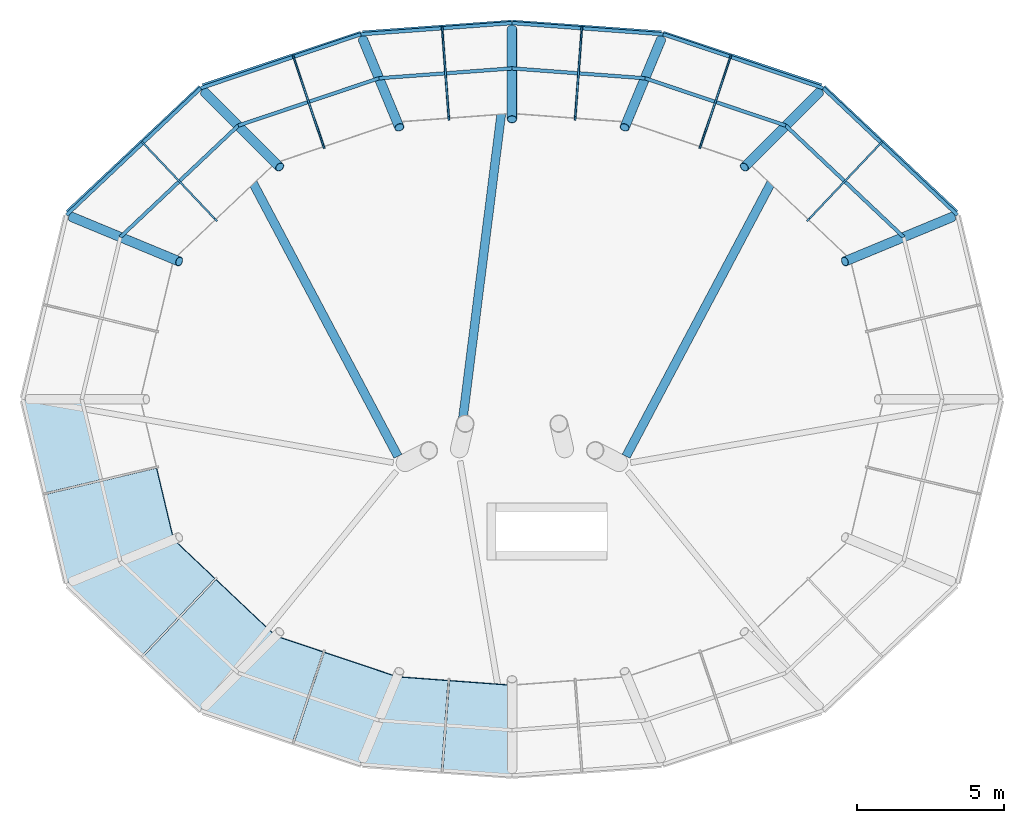
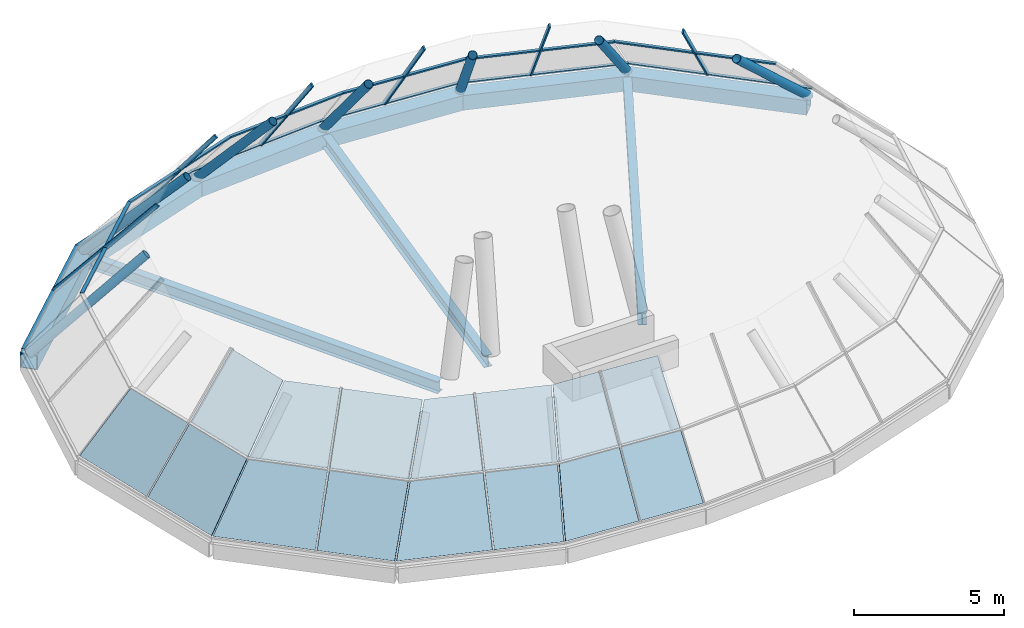
# One storey, part 2 of 4: 25 members, 15 plates, 9 beams, 10 elements without a shape of their own.
"""IFC4 building model written with IfcOpenShell, lengths in metres."""

from ifc_helpers import new_model, si_unit, direction, frame, origin, origin_2d, place, context, subcontext, project, spatial, polyline, rectangle, hollow_rectangle, hollow_circle, i_section, outline, extrude, material, layer, layer_set, material_profile, profile_set, type_object, element, aggregate, save


model = new_model("IFC4")

# Units and contexts
model_context = context("Model", 3, precision=1e-05, world=origin(), true_north=direction((0.0, 1.0)))
body_context = subcontext(model_context, "Body", "Model", "MODEL_VIEW")
ifc_project = project(units=[si_unit("LENGTHUNIT", "METRE"), si_unit("AREAUNIT", "SQUARE_METRE"), si_unit("VOLUMEUNIT", "CUBIC_METRE"), si_unit("PLANEANGLEUNIT", "RADIAN"), si_unit("MASSUNIT", "GRAM", prefix="KILO")], contexts=[model_context])

# Site, building, storey
site_placement = place(None, origin())
site = spatial("IfcSite", under=ifc_project, at=site_placement, CompositionType="ELEMENT")
building_placement = place(site_placement, origin())
building = spatial("IfcBuilding", under=site, at=building_placement, Name="Rubra Terraces Tower", CompositionType="ELEMENT")
storey_placement = place(building_placement, frame((0.0, 0.0, 324.60009765625)))
storey = spatial("IfcBuildingStorey", under=building, at=storey_placement, Name="L80", CompositionType="ELEMENT", Elevation=324.60009765625)

# Members
ifc_material_1 = material(Name="Steel Q355B", Category="steel")
ifc_material_profile_1 = material_profile(ifc_material_1, hollow_circle(Radius=0.16259765625, WallThickness=0.013916015625, at=origin_2d()), Name="CHS 325x14")
ifc_profile_set_1 = profile_set([ifc_material_profile_1], Name="Steel Q355B")
member_type_1 = type_object("IfcMemberType", Name="CROWN POST CHS 325x14", PredefinedType="POST", material=ifc_profile_set_1)
member_1_placement = place(storey_placement, frame((14.985107421875, 6.207275390625, -0.2001953125), z_axis=(-0.674397942908, -0.279292929011, 0.683507772015), x_axis=(0.382622806555, -0.923904642214, 0.0)))
element("IfcMember", 1, at=member_1_placement, inside=storey, type_object=member_type_1, Name="CROWN POST", PredefinedType="POST", context=body_context, shape_type="SweptSolid", body=[
    extrude(hollow_circle(Radius=0.16259765625, WallThickness=0.013916015625, at=origin_2d()), origin(), (0.0, 0.0, 1.0), 5.41357421875),
])
member_2_placement = place(storey_placement, frame((10.4619140625, 10.4619140625, -0.2001953125), z_axis=(-0.493728488521, -0.493728488521, 0.715866160148), x_axis=(0.707106781187, -0.707106781187, 0.0)))
element("IfcMember", 2, at=member_2_placement, inside=storey, type_object=member_type_1, Name="CROWN POST", PredefinedType="POST", context=body_context, shape_type="SweptSolid", body=[
    extrude(hollow_circle(Radius=0.16259765625, WallThickness=0.013916015625, at=origin_2d()), origin(), (0.0, 0.0, 1.0), 5.1689453125),
])
member_3_placement = place(storey_placement, frame((5.075439453125, 12.252197265625, -0.2001953125), z_axis=(-0.252126105765, -0.608597372845, 0.7523574048), x_axis=(0.923859770062, -0.382731139653, 0.0)))
element("IfcMember", 3, at=member_3_placement, inside=storey, type_object=member_type_1, Name="CROWN POST", PredefinedType="POST", context=body_context, shape_type="SweptSolid", body=[
    extrude(hollow_circle(Radius=0.16259765625, WallThickness=0.013916015625, at=origin_2d()), origin(), (0.0, 0.0, 1.0), 4.918212890625),
])
member_4_placement = place(storey_placement, frame((0.0, 12.618408203125, -0.2001953125), z_axis=(0.0, -0.640244221829, 0.768171423847), x_axis=(1.0, 0.0, 0.0)))
element("IfcMember", 4, at=member_4_placement, inside=storey, type_object=member_type_1, Name="CROWN POST", PredefinedType="POST", context=body_context, shape_type="SweptSolid", body=[
    extrude(hollow_circle(Radius=0.16259765625, WallThickness=0.013916015625, at=origin_2d()), origin(), (0.0, 0.0, 1.0), 4.81689453125),
])
member_5_placement = place(storey_placement, frame((-5.075439453125, 12.252197265625, -0.2001953125), z_axis=(0.252126105765, -0.608597372845, 0.7523574048), x_axis=(0.923859770062, 0.382731139653, 0.0)))
element("IfcMember", 5, at=member_5_placement, inside=storey, type_object=member_type_1, Name="CROWN POST", PredefinedType="POST", context=body_context, shape_type="SweptSolid", body=[
    extrude(hollow_circle(Radius=0.16259765625, WallThickness=0.013916015625, at=origin_2d()), origin(), (0.0, 0.0, 1.0), 4.918212890625),
])
member_6_placement = place(storey_placement, frame((-10.4619140625, 10.4619140625, -0.2001953125), z_axis=(0.493728488521, -0.493728488521, 0.715866160148), x_axis=(0.707106781187, 0.707106781187, 0.0)))
element("IfcMember", 6, at=member_6_placement, inside=storey, type_object=member_type_1, Name="CROWN POST", PredefinedType="POST", context=body_context, shape_type="SweptSolid", body=[
    extrude(hollow_circle(Radius=0.16259765625, WallThickness=0.013916015625, at=origin_2d()), origin(), (0.0, 0.0, 1.0), 5.1689453125),
])
member_7_placement = place(storey_placement, frame((-14.985107421875, 6.207275390625, -0.2001953125), z_axis=(0.674397942908, -0.279292929011, 0.683507772015), x_axis=(0.382622806555, 0.923904642214, 0.0)))
element("IfcMember", 7, at=member_7_placement, inside=storey, type_object=member_type_1, Name="CROWN POST", PredefinedType="POST", context=body_context, shape_type="SweptSolid", body=[
    extrude(hollow_circle(Radius=0.16259765625, WallThickness=0.013916015625, at=origin_2d()), origin(), (0.0, 0.0, 1.0), 5.41357421875),
])

# Beams
ifc_material_profile_2 = material_profile(ifc_material_1, hollow_rectangle(XDim=0.60009765625, YDim=0.60009765625, WallThickness=0.030029296875, at=origin_2d()), Name="BOX 600x600x30")
ifc_profile_set_2 = profile_set([ifc_material_profile_2], Name="Steel Q355B")
beam_type_1 = type_object("IfcBeamType", Name="CROWN RING GIRDER BOX 600x600x30", PredefinedType="BEAM", material=ifc_profile_set_2)
beam_1_placement = place(storey_placement, frame((14.985107421875, 6.20703125, -0.5), z_axis=(-0.728380020829, 0.685173368759, 0.0), x_axis=(-0.685173368759, -0.728380020829, 0.0)))
element("IfcBeam", 8, at=beam_1_placement, inside=storey, type_object=beam_type_1, Name="CROWN RING GIRDER", PredefinedType="BEAM", context=body_context, shape_type="SweptSolid", body=[
    extrude(hollow_rectangle(XDim=0.60009765625, YDim=0.60009765625, WallThickness=0.030029296875, at=origin_2d()), origin(), (0.0, 0.0, 1.0), 6.2099609375),
])
beam_2_placement = place(storey_placement, frame((10.4619140625, 10.4619140625, -0.5), z_axis=(-0.948979638059, 0.315337353558, 0.0), x_axis=(-0.315337353558, -0.948979638059, 0.0)))
element("IfcBeam", 9, at=beam_2_placement, inside=storey, type_object=beam_type_1, Name="CROWN RING GIRDER", PredefinedType="BEAM", context=body_context, shape_type="SweptSolid", body=[
    extrude(hollow_rectangle(XDim=0.60009765625, YDim=0.60009765625, WallThickness=0.030029296875, at=origin_2d()), origin(), (0.0, 0.0, 1.0), 5.676513671875),
])
for number, where, z_axis, x_axis, name in (
    (10, (5.074951171875, 12.251953125, -0.5), (-0.99740999949, 0.071925606833, 0.0), (-0.071925606833, -0.99740999949, 0.0), "CROWN RING GIRDER"),
    (11, (0.0, 12.617919921875, -0.5), (-0.99740999949, -0.071925606833, 0.0), (0.071925606833, -0.99740999949, 0.0), "CROWN RING GIRDER"),
):
    element("IfcBeam", number, at=place(storey_placement, frame(where, z_axis=z_axis, x_axis=x_axis)), inside=storey, type_object=beam_type_1, Name=name, PredefinedType="BEAM", context=body_context, shape_type="SweptSolid", body=[
        extrude(hollow_rectangle(XDim=0.60009765625, YDim=0.60009765625, WallThickness=0.030029296875, at=origin_2d()), origin(), (0.0, 0.0, 1.0), 5.088134765625),
    ])
beam_3_placement = place(storey_placement, frame((-5.074951171875, 12.251953125, -0.5), z_axis=(-0.948979638059, -0.315337353558, 0.0), x_axis=(0.315337353558, -0.948979638059, 0.0)))
element("IfcBeam", 12, at=beam_3_placement, inside=storey, type_object=beam_type_1, Name="CROWN RING GIRDER", PredefinedType="BEAM", context=body_context, shape_type="SweptSolid", body=[
    extrude(hollow_rectangle(XDim=0.60009765625, YDim=0.60009765625, WallThickness=0.030029296875, at=origin_2d()), origin(), (0.0, 0.0, 1.0), 5.676513671875),
])
beam_4_placement = place(storey_placement, frame((-10.4619140625, 10.4619140625, -0.5), z_axis=(-0.728380020829, -0.685173368759, 0.0), x_axis=(0.685173368759, -0.728380020829, 0.0)))
element("IfcBeam", 13, at=beam_4_placement, inside=storey, type_object=beam_type_1, Name="CROWN RING GIRDER", PredefinedType="BEAM", context=body_context, shape_type="SweptSolid", body=[
    extrude(hollow_rectangle(XDim=0.60009765625, YDim=0.60009765625, WallThickness=0.030029296875, at=origin_2d()), origin(), (0.0, 0.0, 1.0), 6.2099609375),
])

# Curtain wall, member
ifc_material_2 = material(Name="Aluminium and glass", Category="aluminium")
curtain_wall_type = type_object("IfcCurtainWallType", Name="Curtain wall Crown glazing", PredefinedType="NOTDEFINED", material=ifc_material_2)
curtain_wall_1_placement = place(storey_placement, origin())
curtain_wall_1 = element("IfcCurtainWall", 14, at=curtain_wall_1_placement, inside=storey, type_object=curtain_wall_type, Name="Crown glazing L80 facet 2", PredefinedType="NOTDEFINED")
ifc_material_3 = material(Name="Aluminium, anodised dark grey", Category="aluminium")
ifc_material_profile_3 = material_profile(ifc_material_3, rectangle(XDim=0.06005859375, YDim=0.159912109375, at=origin_2d()), Name="AL 60x160")
ifc_profile_set_3 = profile_set([ifc_material_profile_3], Name="Aluminium, anodised dark grey")
member_type_2 = type_object("IfcMemberType", Name="Crown glazing mullion 60 x 160", PredefinedType="MULLION", material=ifc_profile_set_3)
member_8_placement = place(storey_placement, frame((12.569091796875, 8.73388671875, 0.0), z_axis=(-0.447713431998, -0.473377690584, 0.758594914869), x_axis=(0.726526856678, -0.687138069478, 0.0)))
member_8 = element("IfcMember", 15, at=member_8_placement, type_object=member_type_2, Name="Crown glazing L80 facet 2 mullion 1", PredefinedType="MULLION", context=body_context, shape_type="SweptSolid", body=[
    extrude(rectangle(XDim=0.06005859375, YDim=0.159912109375, at=origin_2d()), origin(), (0.0, 0.0, 1.0), 5.536376953125),
])

curtain_wall_2_placement = place(storey_placement, origin())
curtain_wall_2 = element("IfcCurtainWall", 16, at=curtain_wall_2_placement, inside=storey, type_object=curtain_wall_type, Name="Crown glazing L80 facet 3", PredefinedType="NOTDEFINED")
member_9_placement = place(storey_placement, frame((7.4404296875, 11.65966796875, 0.0), z_axis=(-0.194355754949, -0.578092052347, 0.79248685764), x_axis=(0.947864384433, -0.318673985013, 0.0)))
member_9 = element("IfcMember", 17, at=member_9_placement, type_object=member_type_2, Name="Crown glazing L80 facet 3 mullion 1", PredefinedType="MULLION", context=body_context, shape_type="SweptSolid", body=[
    extrude(rectangle(XDim=0.06005859375, YDim=0.159912109375, at=origin_2d()), origin(), (0.0, 0.0, 1.0), 5.2998046875),
])

curtain_wall_3_placement = place(storey_placement, origin())
curtain_wall_3 = element("IfcCurtainWall", 18, at=curtain_wall_3_placement, inside=storey, type_object=curtain_wall_type, Name="Crown glazing L80 facet 4", PredefinedType="NOTDEFINED")
member_10_placement = place(storey_placement, frame((2.3779296875, 12.635009765625, 0.0), z_axis=(-0.043614060364, -0.589258783311, 0.806766323064), x_axis=(0.997272083932, -0.07381321433, 0.0)))
member_10 = element("IfcMember", 19, at=member_10_placement, type_object=member_type_2, Name="Crown glazing L80 facet 4 mullion 1", PredefinedType="MULLION", context=body_context, shape_type="SweptSolid", body=[
    extrude(rectangle(XDim=0.06005859375, YDim=0.159912109375, at=origin_2d()), origin(), (0.0, 0.0, 1.0), 5.205810546875),
])

curtain_wall_4_placement = place(storey_placement, origin())
curtain_wall_4 = element("IfcCurtainWall", 20, at=curtain_wall_4_placement, inside=storey, type_object=curtain_wall_type, Name="Crown glazing L80 facet 5", PredefinedType="NOTDEFINED")
member_11_placement = place(storey_placement, frame((-2.3779296875, 12.635009765625, 0.0), z_axis=(0.043614060364, -0.589258783311, 0.806766323064), x_axis=(0.997272083932, 0.07381321433, 0.0)))
member_11 = element("IfcMember", 21, at=member_11_placement, type_object=member_type_2, Name="Crown glazing L80 facet 5 mullion 1", PredefinedType="MULLION", context=body_context, shape_type="SweptSolid", body=[
    extrude(rectangle(XDim=0.06005859375, YDim=0.159912109375, at=origin_2d()), origin(), (0.0, 0.0, 1.0), 5.205810546875),
])

curtain_wall_5_placement = place(storey_placement, origin())
curtain_wall_5 = element("IfcCurtainWall", 22, at=curtain_wall_5_placement, inside=storey, type_object=curtain_wall_type, Name="Crown glazing L80 facet 6", PredefinedType="NOTDEFINED")
member_12_placement = place(storey_placement, frame((-7.4404296875, 11.65966796875, 0.0), z_axis=(0.194355754949, -0.578092052347, 0.79248685764), x_axis=(0.947864384433, 0.318673985013, 0.0)))
member_12 = element("IfcMember", 23, at=member_12_placement, type_object=member_type_2, Name="Crown glazing L80 facet 6 mullion 1", PredefinedType="MULLION", context=body_context, shape_type="SweptSolid", body=[
    extrude(rectangle(XDim=0.06005859375, YDim=0.159912109375, at=origin_2d()), origin(), (0.0, 0.0, 1.0), 5.2998046875),
])

curtain_wall_6_placement = place(storey_placement, origin())
curtain_wall_6 = element("IfcCurtainWall", 24, at=curtain_wall_6_placement, inside=storey, type_object=curtain_wall_type, Name="Crown glazing L80 facet 7", PredefinedType="NOTDEFINED")
member_13_placement = place(storey_placement, frame((-12.569091796875, 8.73388671875, 0.0), z_axis=(0.447713431998, -0.473377690584, 0.758594914869), x_axis=(0.726526856678, 0.687138069478, 0.0)))
member_13 = element("IfcMember", 25, at=member_13_placement, type_object=member_type_2, Name="Crown glazing L80 facet 7 mullion 1", PredefinedType="MULLION", context=body_context, shape_type="SweptSolid", body=[
    extrude(rectangle(XDim=0.06005859375, YDim=0.159912109375, at=origin_2d()), origin(), (0.0, 0.0, 1.0), 5.536376953125),
])

# Member
ifc_material_profile_4 = material_profile(ifc_material_3, rectangle(XDim=0.1201171875, YDim=0.06005859375, at=origin_2d()), Name="AL 120x60")
ifc_profile_set_4 = profile_set([ifc_material_profile_4], Name="Aluminium, anodised dark grey")
member_type_3 = type_object("IfcMemberType", Name="Crown glazing transom 120 x 60", PredefinedType="USERDEFINED", material=ifc_profile_set_4)
member_14_placement = place(storey_placement, frame((15.1630859375, 6.281005859375, 0.0), z_axis=(-0.726589515894, 0.687071812399, 0.0), x_axis=(-0.687071812399, -0.726589515894, 0.0)))
member_14 = element("IfcMember", 26, at=member_14_placement, type_object=member_type_3, Name="Crown glazing L80 facet 2 transom 1", ObjectType="TRANSOM", PredefinedType="USERDEFINED", context=body_context, shape_type="SweptSolid", body=[
    extrude(rectangle(XDim=0.1201171875, YDim=0.06005859375, at=origin_2d()), origin(), (0.0, 0.0, 1.0), 6.282958984375),
])

member_15_placement = place(storey_placement, frame((13.33740234375, 5.52490234375, 2.099853515625), z_axis=(-0.726578083676, 0.687083901952, 0.0), x_axis=(-0.687083901952, -0.726578083676, 0.0)))
member_15 = element("IfcMember", 27, at=member_15_placement, type_object=member_type_3, Name="Crown glazing L80 facet 2 transom 2", ObjectType="TRANSOM", PredefinedType="USERDEFINED", context=body_context, shape_type="SweptSolid", body=[
    extrude(rectangle(XDim=0.1201171875, YDim=0.06005859375, at=origin_2d()), origin(), (0.0, 0.0, 1.0), 5.5263671875),
])

aggregate(curtain_wall_1, [member_8, member_14, member_15])

member_16_placement = place(storey_placement, frame((10.597900390625, 10.597900390625, 0.0), z_axis=(-0.947860464066, 0.31868564552, 0.0), x_axis=(-0.31868564552, -0.947860464066, 0.0)))
member_16 = element("IfcMember", 28, at=member_16_placement, type_object=member_type_3, Name="Crown glazing L80 facet 3 transom 1", ObjectType="TRANSOM", PredefinedType="USERDEFINED", context=body_context, shape_type="SweptSolid", body=[
    extrude(rectangle(XDim=0.1201171875, YDim=0.06005859375, at=origin_2d()), origin(), (0.0, 0.0, 1.0), 5.748779296875),
])

member_17_placement = place(storey_placement, frame((9.322021484375, 9.322021484375, 2.099853515625), z_axis=(-0.947854458081, 0.318703508445, 0.0), x_axis=(-0.318703508445, -0.947854458081, 0.0)))
member_17 = element("IfcMember", 29, at=member_17_placement, type_object=member_type_3, Name="Crown glazing L80 facet 3 transom 2", ObjectType="TRANSOM", PredefinedType="USERDEFINED", context=body_context, shape_type="SweptSolid", body=[
    extrude(rectangle(XDim=0.1201171875, YDim=0.06005859375, at=origin_2d()), origin(), (0.0, 0.0, 1.0), 5.056640625),
])

aggregate(curtain_wall_2, [member_9, member_16, member_17])

member_18_placement = place(storey_placement, frame((5.14892578125, 12.429931640625, 0.0), z_axis=(-0.997272010519, 0.073814206184, 0.0), x_axis=(-0.073814206184, -0.997272010519, 0.0)))
member_18 = element("IfcMember", 30, at=member_18_placement, type_object=member_type_3, Name="Crown glazing L80 facet 4 transom 1", ObjectType="TRANSOM", PredefinedType="USERDEFINED", context=body_context, shape_type="SweptSolid", body=[
    extrude(rectangle(XDim=0.1201171875, YDim=0.06005859375, at=origin_2d()), origin(), (0.0, 0.0, 1.0), 5.1630859375),
])

member_19_placement = place(storey_placement, frame((4.529052734375, 10.93359375, 2.099853515625), z_axis=(-0.997272299664, 0.073810299576, 0.0), x_axis=(-0.073810299576, -0.997272299664, 0.0)))
member_19 = element("IfcMember", 31, at=member_19_placement, type_object=member_type_3, Name="Crown glazing L80 facet 4 transom 2", ObjectType="TRANSOM", PredefinedType="USERDEFINED", context=body_context, shape_type="SweptSolid", body=[
    extrude(rectangle(XDim=0.1201171875, YDim=0.06005859375, at=origin_2d()), origin(), (0.0, 0.0, 1.0), 4.54150390625),
])

aggregate(curtain_wall_3, [member_10, member_18, member_19])

member_20_placement = place(storey_placement, frame((0.0, 12.81103515625, 0.0), z_axis=(-0.997272010519, -0.073814206184, 0.0), x_axis=(0.073814206184, -0.997272010519, 0.0)))
member_20 = element("IfcMember", 32, at=member_20_placement, type_object=member_type_3, Name="Crown glazing L80 facet 5 transom 1", ObjectType="TRANSOM", PredefinedType="USERDEFINED", context=body_context, shape_type="SweptSolid", body=[
    extrude(rectangle(XDim=0.1201171875, YDim=0.06005859375, at=origin_2d()), origin(), (0.0, 0.0, 1.0), 5.1630859375),
])

member_21_placement = place(storey_placement, frame((0.0, 11.268798828125, 2.099853515625), z_axis=(-0.997272299664, -0.073810299576, 0.0), x_axis=(0.073810299576, -0.997272299664, 0.0)))
member_21 = element("IfcMember", 33, at=member_21_placement, type_object=member_type_3, Name="Crown glazing L80 facet 5 transom 2", ObjectType="TRANSOM", PredefinedType="USERDEFINED", context=body_context, shape_type="SweptSolid", body=[
    extrude(rectangle(XDim=0.1201171875, YDim=0.06005859375, at=origin_2d()), origin(), (0.0, 0.0, 1.0), 4.54150390625),
])

aggregate(curtain_wall_4, [member_11, member_20, member_21])

member_22_placement = place(storey_placement, frame((-5.14892578125, 12.429931640625, 0.0), z_axis=(-0.947860464066, -0.31868564552, 0.0), x_axis=(0.31868564552, -0.947860464066, 0.0)))
member_22 = element("IfcMember", 34, at=member_22_placement, type_object=member_type_3, Name="Crown glazing L80 facet 6 transom 1", ObjectType="TRANSOM", PredefinedType="USERDEFINED", context=body_context, shape_type="SweptSolid", body=[
    extrude(rectangle(XDim=0.1201171875, YDim=0.06005859375, at=origin_2d()), origin(), (0.0, 0.0, 1.0), 5.748779296875),
])

member_23_placement = place(storey_placement, frame((-4.529052734375, 10.93359375, 2.099853515625), z_axis=(-0.947854458081, -0.318703508445, 0.0), x_axis=(0.318703508445, -0.947854458081, 0.0)))
member_23 = element("IfcMember", 35, at=member_23_placement, type_object=member_type_3, Name="Crown glazing L80 facet 6 transom 2", ObjectType="TRANSOM", PredefinedType="USERDEFINED", context=body_context, shape_type="SweptSolid", body=[
    extrude(rectangle(XDim=0.1201171875, YDim=0.06005859375, at=origin_2d()), origin(), (0.0, 0.0, 1.0), 5.056640625),
])

aggregate(curtain_wall_5, [member_12, member_22, member_23])

member_24_placement = place(storey_placement, frame((-10.597900390625, 10.597900390625, 0.0), z_axis=(-0.726589515894, -0.687071812399, 0.0), x_axis=(0.687071812399, -0.726589515894, 0.0)))
member_24 = element("IfcMember", 36, at=member_24_placement, type_object=member_type_3, Name="Crown glazing L80 facet 7 transom 1", ObjectType="TRANSOM", PredefinedType="USERDEFINED", context=body_context, shape_type="SweptSolid", body=[
    extrude(rectangle(XDim=0.1201171875, YDim=0.06005859375, at=origin_2d()), origin(), (0.0, 0.0, 1.0), 6.282958984375),
])

member_25_placement = place(storey_placement, frame((-9.322021484375, 9.322021484375, 2.099853515625), z_axis=(-0.726578083676, -0.687083901952, 0.0), x_axis=(0.687083901952, -0.726578083676, 0.0)))
member_25 = element("IfcMember", 37, at=member_25_placement, type_object=member_type_3, Name="Crown glazing L80 facet 7 transom 2", ObjectType="TRANSOM", PredefinedType="USERDEFINED", context=body_context, shape_type="SweptSolid", body=[
    extrude(rectangle(XDim=0.1201171875, YDim=0.06005859375, at=origin_2d()), origin(), (0.0, 0.0, 1.0), 5.5263671875),
])

aggregate(curtain_wall_6, [member_13, member_24, member_25])

# Beams
ifc_material_profile_5 = material_profile(ifc_material_1, i_section(OverallWidth=0.300048828125, OverallDepth=0.48193359375, WebThickness=0.010986328125, FlangeThickness=0.014892578125, at=origin_2d()), Name="HM 482x300x11x15")
ifc_profile_set_5 = profile_set([ifc_material_profile_5], Name="Steel Q355B")
beam_type_2 = type_object("IfcBeamType", Name="FLOOR BEAM HM 482x300x11x15", PredefinedType="BEAM", material=ifc_profile_set_5)
beam_5_placement = place(storey_placement, frame((10.298095703125, 10.153076171875, -0.441162109375), z_axis=(-0.46842437803, -0.883503594824, 0.0), x_axis=(0.883503594824, -0.46842437803, 0.0)))
element("IfcBeam", 38, at=beam_5_placement, inside=storey, type_object=beam_type_2, Name="beam-L80-crown-floor-03", PredefinedType="BEAM", context=body_context, shape_type="SweptSolid", body=[
    extrude(i_section(OverallWidth=0.300048828125, OverallDepth=0.48193359375, WebThickness=0.010986328125, FlangeThickness=0.014892578125, at=origin_2d()), origin(), (0.0, 0.0, 1.0), 13.688720703125),
])
beam_6_placement = place(storey_placement, frame((-0.0439453125, 12.27099609375, -0.441162109375), z_axis=(-0.124994139521, -0.992157479983, 0.0), x_axis=(0.992157479983, -0.124994139521, 0.0)))
element("IfcBeam", 39, at=beam_6_placement, inside=storey, type_object=beam_type_2, Name="beam-L80-crown-floor-05", PredefinedType="BEAM", context=body_context, shape_type="SweptSolid", body=[
    extrude(i_section(OverallWidth=0.300048828125, OverallDepth=0.48193359375, WebThickness=0.010986328125, FlangeThickness=0.014892578125, at=origin_2d()), origin(), (0.0, 0.0, 1.0), 13.873779296875),
])
beam_7_placement = place(storey_placement, frame((-10.298095703125, 10.153076171875, -0.441162109375), z_axis=(0.46842437803, -0.883503594824, 0.0), x_axis=(0.883503594824, 0.46842437803, 0.0)))
element("IfcBeam", 40, at=beam_7_placement, inside=storey, type_object=beam_type_2, Name="beam-L80-crown-floor-07", PredefinedType="BEAM", context=body_context, shape_type="SweptSolid", body=[
    extrude(i_section(OverallWidth=0.300048828125, OverallDepth=0.48193359375, WebThickness=0.010986328125, FlangeThickness=0.014892578125, at=origin_2d()), origin(), (0.0, 0.0, 1.0), 13.688720703125),
])

# Curtain wall, plates
curtain_wall_7_placement = place(storey_placement, origin())
curtain_wall_7 = element("IfcCurtainWall", 41, at=curtain_wall_7_placement, inside=storey, type_object=curtain_wall_type, Name="Crown glazing L80 facet 9", PredefinedType="NOTDEFINED")
ifc_material_4 = material(Name="Clear glass, laminated", Category="glass")
ifc_layer = layer(ifc_material_4, 0.028076171875)
ifc_layer_set = layer_set([ifc_layer], Name="Clear glass, laminated")
plate_type = type_object("IfcPlateType", Name="Crown glazing glass panel 28", PredefinedType="CURTAIN_PANEL", material=ifc_layer_set)
plate_1_placement = place(storey_placement, frame((-16.627197265625, -0.029296875, 0.021484375), z_axis=(-0.71285843792, -0.169347693749, 0.680554337366), x_axis=(0.231120588335, -0.972925112, -9.348755e-06)))
plate_1 = element("IfcPlate", 42, at=plate_1_placement, type_object=plate_type, Name="Crown glazing L80 facet 9 panel 1.1", PredefinedType="CURTAIN_PANEL", context=body_context, shape_type="SweptSolid", body=[
    extrude(outline(polyline([(0.0, 0.0), (3.237802080904114, -5.551115123125783e-17), (3.237898194817458, 2.80698456710087), (0.4537580609084077, 2.806907730954159), (0.0, 0.0)])), origin(), (0.0, 0.0, -1.0), 0.028076171875),
])
plate_2_placement = place(storey_placement, frame((-15.865234375, -3.23779296875, 0.021484375), z_axis=(-0.712814782191, -0.169324731826, 0.680605775381), x_axis=(0.23111703747, -0.972925955543, 4.722581e-06)))
plate_2 = element("IfcPlate", 43, at=plate_2_placement, type_object=plate_type, Name="Crown glazing L80 facet 9 panel 2.1", PredefinedType="CURTAIN_PANEL", context=body_context, shape_type="SweptSolid", body=[
    extrude(outline(polyline([(0.0, 0.0), (3.089759429979913, -1.1102230246251565e-16), (2.7827766055673635, 2.8071083744738665), (0.0001745065171635438, 2.8071462270734004), (0.0, 0.0)])), origin(), (0.0, 0.0, -1.0), 0.028076171875),
])
plate_3_placement = place(storey_placement, frame((-13.96728515625, -2.787109375, 2.12158203125), z_axis=(-0.712806277021, -0.169317920075, 0.680616377544), x_axis=(0.231111487954, -0.972927273801, 5.431725e-06)))
plate_3 = element("IfcPlate", 44, at=plate_3_placement, type_object=plate_type, Name="Crown glazing L80 facet 9 panel 2.2", PredefinedType="CURTAIN_PANEL", context=body_context, shape_type="SweptSolid", body=[
    extrude(outline(polyline([(0.0, 0.0), (2.7760877491224365, 5.551115123125783e-17), (2.468857954617071, 2.807145745420636), (-7.246390789254017e-05, 2.8071846315023343), (0.0, 0.0)])), origin(), (0.0, 0.0, -1.0), 0.028076171875),
])
aggregate(curtain_wall_7, [plate_1, plate_2, plate_3])

curtain_wall_8_placement = place(storey_placement, origin())
curtain_wall_8 = element("IfcCurtainWall", 45, at=curtain_wall_8_placement, inside=storey, type_object=curtain_wall_type, Name="Crown glazing L80 facet 10", PredefinedType="NOTDEFINED")
plate_4_placement = place(storey_placement, frame((-15.122314453125, -6.293701171875, 0.021728515625), z_axis=(-0.521231300107, -0.551218643577, 0.651518179917), x_axis=(0.726594927742, -0.687066089236, 5.84914e-07)))
plate_4 = element("IfcPlate", 46, at=plate_4_placement, type_object=plate_type, Name="Crown glazing L80 facet 10 panel 1.1", PredefinedType="CURTAIN_PANEL", context=body_context, shape_type="SweptSolid", body=[
    extrude(outline(polyline([(0.0, 0.0), (3.5018575796768907, -2.220446049250313e-16), (3.501848388412665, 2.71065769343857), (0.7902706555404615, 2.7106624840606326), (0.0, 0.0)])), origin(), (0.0, 0.0, -1.0), 0.028076171875),
])
plate_5_placement = place(storey_placement, frame((-13.296630859375, -5.53759765625, 2.12158203125), z_axis=(-0.5212496405, -0.55120790489, 0.651512592254), x_axis=(0.726558771583, -0.687104322937, -2.8910872e-05)))
plate_5 = element("IfcPlate", 47, at=plate_5_placement, type_object=plate_type, Name="Crown glazing L80 facet 10 panel 1.2", PredefinedType="CURTAIN_PANEL", context=body_context, shape_type="SweptSolid", body=[
    extrude(outline(polyline([(0.0, 0.0), (2.6949920990184832, 1.1102230246251565e-16), (2.694838945373474, 2.71106776126842), (0.7901170588863585, 2.7108924711093687), (0.0, 0.0)])), origin(), (0.0, 0.0, -1.0), 0.028076171875),
])
plate_6_placement = place(storey_placement, frame((-12.534423828125, -8.740966796875, 0.021728515625), z_axis=(-0.521231340121, -0.551176035659, 0.651554194056), x_axis=(0.726567378819, -0.687095221956, -1.123479e-06)))
plate_6 = element("IfcPlate", 48, at=plate_6_placement, type_object=plate_type, Name="Crown glazing L80 facet 10 panel 2.1", PredefinedType="CURTAIN_PANEL", context=body_context, shape_type="SweptSolid", body=[
    extrude(outline(polyline([(0.0, 0.0), (2.6535472920169383, 1.1102230246251565e-16), (2.7026885196500294, 2.7107749183072207), (9.386973819153785e-05, 2.7107669859346673), (0.0, 0.0)])), origin(), (0.0, 0.0, -1.0), 0.028076171875),
])
plate_7_placement = place(storey_placement, frame((-11.295166015625, -7.430419921875, 2.12158203125), z_axis=(-0.521256221308, -0.551227520612, 0.651490730761), x_axis=(0.726592683083, -0.687068462861, 1.5213018e-05)))
plate_7 = element("IfcPlate", 49, at=plate_7_placement, type_object=plate_type, Name="Crown glazing L80 facet 10 panel 2.2", PredefinedType="CURTAIN_PANEL", context=body_context, shape_type="SweptSolid", body=[
    extrude(outline(polyline([(0.0, 0.0), (2.7038074352250394, -2.220446049250313e-16), (2.753215049809622, 2.71084276702722), (0.00019251495863989833, 2.7109521905168386), (0.0, 0.0)])), origin(), (0.0, 0.0, -1.0), 0.028076171875),
])
aggregate(curtain_wall_8, [plate_4, plate_5, plate_6, plate_7])

curtain_wall_9_placement = place(storey_placement, origin())
curtain_wall_9 = element("IfcCurtainWall", 50, at=curtain_wall_9_placement, inside=storey, type_object=curtain_wall_type, Name="Crown glazing L80 facet 11", PredefinedType="NOTDEFINED")
plate_8_placement = place(storey_placement, frame((-10.5556640625, -10.59375, 0.022705078125), z_axis=(-0.252532193341, -0.75119141159, 0.609867981189), x_axis=(0.947871976474, -0.318651402344, -1.2309e-08)))
plate_8 = element("IfcPlate", 51, at=plate_8_placement, type_object=plate_type, Name="Crown glazing L80 facet 11 panel 1.1", PredefinedType="CURTAIN_PANEL", context=body_context, shape_type="SweptSolid", body=[
    extrude(outline(polyline([(0.0, 0.0), (3.2623447571281563, -1.1102230246251565e-16), (3.262473015984126, 2.592347705022606), (0.7854503642443929, 2.5923476158819003), (0.0, 0.0)])), origin(), (0.0, 0.0, -1.0), 0.028076171875),
])
plate_9_placement = place(storey_placement, frame((-9.27978515625, -9.31787109375, 2.122802734375), z_axis=(-0.252543427006, -0.751124807268, 0.609945359342), x_axis=(0.947865497263, -0.318670673942, 2.5826039e-05)))
plate_9 = element("IfcPlate", 52, at=plate_9_placement, type_object=plate_type, Name="Crown glazing L80 facet 11 panel 1.2", PredefinedType="CURTAIN_PANEL", context=body_context, shape_type="SweptSolid", body=[
    extrude(outline(polyline([(0.0, 0.0), (2.459497191582495, 1.6653345369377348e-16), (2.4596463834739977, 2.5921542239064874), (0.785393496401433, 2.5922889444197432), (0.0, 0.0)])), origin(), (0.0, 0.0, -1.0), 0.028076171875),
])
plate_10_placement = place(storey_placement, frame((-7.406494140625, -11.652587890625, 0.022705078125), z_axis=(-0.25257472231, -0.751149205905, 0.609902352937), x_axis=(0.947854864341, -0.318702299659, 1.8363337e-05)))
plate_10 = element("IfcPlate", 53, at=plate_10_placement, type_object=plate_type, Name="Crown glazing L80 facet 11 panel 2.1", PredefinedType="CURTAIN_PANEL", context=body_context, shape_type="SweptSolid", body=[
    extrude(outline(polyline([(0.0, 0.0), (2.3588230537804526, 5.551115123125783e-17), (2.467067272396559, 2.5923770171735088), (3.3080753867012586e-06, 2.5924888430531956), (0.0, 0.0)])), origin(), (0.0, 0.0, -1.0), 0.028076171875),
])
plate_11_placement = place(storey_placement, frame((-6.8916015625, -10.12060546875, 2.122802734375), z_axis=(-0.252550558825, -0.751135726407, 0.609928959594), x_axis=(0.94785478457, -0.31870253719, -1.2470717e-05)))
plate_11 = element("IfcPlate", 54, at=plate_11_placement, type_object=plate_type, Name="Crown glazing L80 facet 11 panel 2.2", PredefinedType="CURTAIN_PANEL", context=body_context, shape_type="SweptSolid", body=[
    extrude(outline(polyline([(0.0, 0.0), (2.4696114878814104, -5.551115123125783e-17), (2.57802337643436, 2.5922336630521756), (1.7376334209893265e-05, 2.592154229741701), (0.0, 0.0)])), origin(), (0.0, 0.0, -1.0), 0.028076171875),
])
aggregate(curtain_wall_9, [plate_8, plate_9, plate_10, plate_11])

curtain_wall_10_placement = place(storey_placement, origin())
curtain_wall_10 = element("IfcCurtainWall", 55, at=curtain_wall_10_placement, inside=storey, type_object=curtain_wall_type, Name="Crown glazing L80 facet 12", PredefinedType="NOTDEFINED")
plate_12_placement = place(storey_placement, frame((-5.112060546875, -12.415283203125, 0.023681640625), z_axis=(-0.059536857478, -0.804586686028, 0.590843149463), x_axis=(0.997273502951, -0.073794039796, 1.402206e-06)))
plate_12 = element("IfcPlate", 56, at=plate_12_placement, type_object=plate_type, Name="Crown glazing L80 facet 12 panel 1.1", PredefinedType="CURTAIN_PANEL", context=body_context, shape_type="SweptSolid", body=[
    extrude(outline(polyline([(0.0, 0.0), (2.7129629082857103, -2.7755575615628914e-17), (2.7128844303422657, 2.544026904956263), (0.49639119245560276, 2.5440354724222303), (0.0, 0.0)])), origin(), (0.0, 0.0, -1.0), 0.028076171875),
])
plate_13_placement = place(storey_placement, frame((-4.4921875, -10.9189453125, 2.123779296875), z_axis=(-0.059536778857, -0.80452658226, 0.590924995579), x_axis=(0.997271714306, -0.07381820409, -2.4304149e-05)))
plate_13 = element("IfcPlate", 57, at=plate_13_placement, type_object=plate_type, Name="Crown glazing L80 facet 12 panel 1.2", PredefinedType="CURTAIN_PANEL", context=body_context, shape_type="SweptSolid", body=[
    extrude(outline(polyline([(0.0, 0.0), (2.2049958674022205, -1.3877787807814457e-17), (2.2050536647690797, 2.543984461459717), (0.49654548912212165, 2.543866559807763), (0.0, 0.0)])), origin(), (0.0, 0.0, -1.0), 0.028076171875),
])
plate_14_placement = place(storey_placement, frame((-2.3466796875, -12.619873046875, 0.023681640625), z_axis=(-0.059498882265, -0.804581235647, 0.59085439683), x_axis=(0.997276277706, -0.073756530641, -1.0656988e-05)))
plate_14 = element("IfcPlate", 58, at=plate_14_placement, type_object=plate_type, Name="Crown glazing L80 facet 12 panel 2.1", PredefinedType="CURTAIN_PANEL", context=body_context, shape_type="SweptSolid", body=[
    extrude(outline(polyline([(0.0, 0.0), (2.3232248437342835, 1.3877787807814457e-17), (2.2120279654446784, 2.5440868136008694), (-4.6694666530508125e-05, 2.5440269054012243), (0.0, 0.0)])), origin(), (0.0, 0.0, -1.0), 0.028076171875),
])
plate_15_placement = place(storey_placement, frame((-2.2333984375, -11.086181640625, 2.123779296875), z_axis=(-0.059571962352, -0.804518665775, 0.590932227688), x_axis=(0.997270746102, -0.073831284963, 1.8155162e-05)))
plate_15 = element("IfcPlate", 59, at=plate_15_placement, type_object=plate_type, Name="Crown glazing L80 facet 12 panel 2.2", PredefinedType="CURTAIN_PANEL", context=body_context, shape_type="SweptSolid", body=[
    extrude(outline(polyline([(0.0, 0.0), (2.2096399054377747, -2.7755575615628914e-17), (2.0983894803717917, 2.543887510888892), (0.00012521504149981105, 2.5439844597454147), (0.0, 0.0)])), origin(), (0.0, 0.0, -1.0), 0.028076171875),
])
aggregate(curtain_wall_10, [plate_12, plate_13, plate_14, plate_15])

save(model, "model.ifc")
